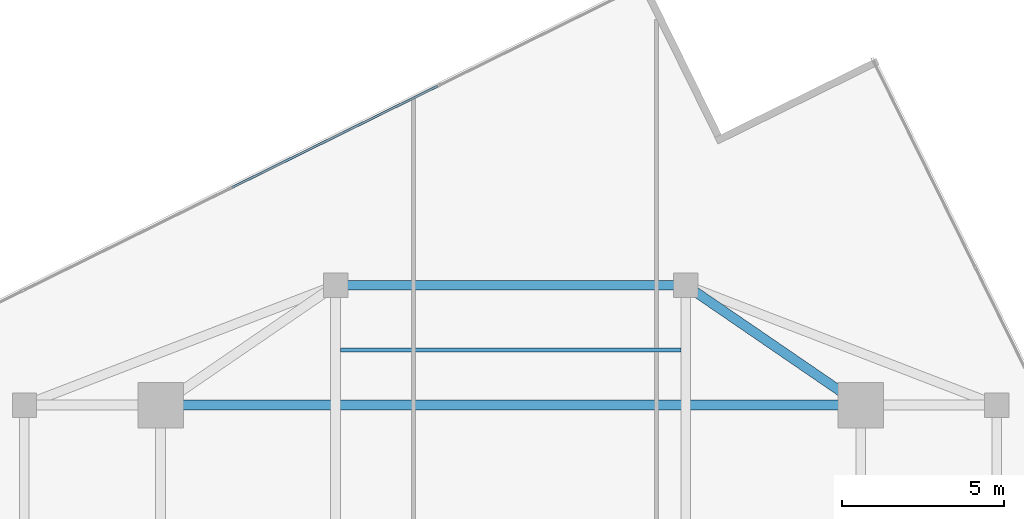
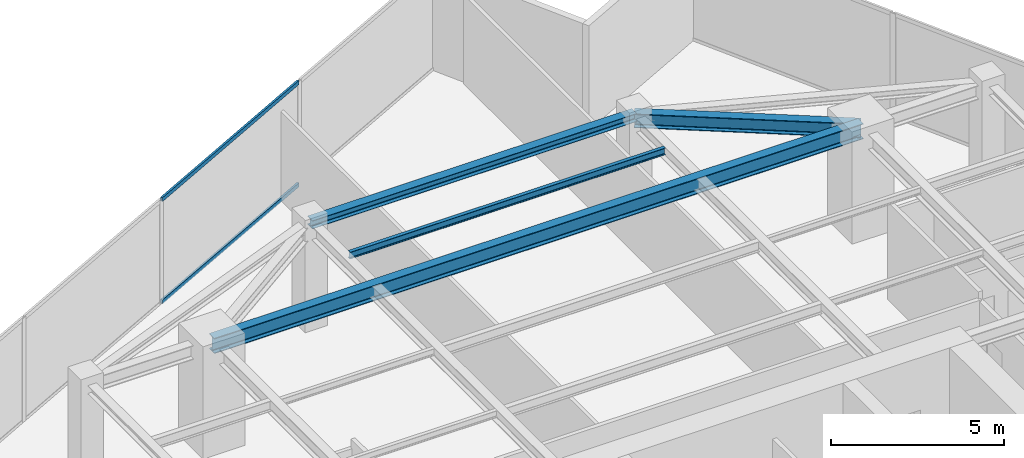
# One storey, part 14 of 22: 4 beams, 2 members, 1 element without a shape of its own.
"""IFC4 building model written with IfcOpenShell, lengths in metres."""

from ifc_helpers import new_model, si_unit, direction, frame, origin, origin_2d, place, context, subcontext, project, spatial, hollow_rectangle, i_section, extrude, source, transform, mapped, material, material_profile, profile_set, type_object, type_shapes, element, aggregate, save


model = new_model("IFC4")

# Units and contexts
model_context = context("Model", 3, precision=1e-05, world=origin(), true_north=direction((0.0, 1.0)))
body_context = subcontext(model_context, "Body", "Model", "MODEL_VIEW")
ifc_project = project(units=[si_unit("LENGTHUNIT", "METRE"), si_unit("AREAUNIT", "SQUARE_METRE"), si_unit("VOLUMEUNIT", "CUBIC_METRE"), si_unit("PLANEANGLEUNIT", "RADIAN"), si_unit("MASSUNIT", "GRAM", prefix="KILO")], contexts=[model_context])

# Site, building, storey
site_placement = place(None, origin())
site = spatial("IfcSite", under=ifc_project, at=site_placement, CompositionType="ELEMENT")
building_placement = place(site_placement, origin())
building = spatial("IfcBuilding", under=site, at=building_placement, Name="Krantzveldt Concourse Tower", CompositionType="ELEMENT")
storey_placement = place(building_placement, frame((0.0, 0.0, 310.85009765625)))
storey = spatial("IfcBuildingStorey", under=building, at=storey_placement, Name="L76", CompositionType="ELEMENT", Elevation=310.85009765625)

# Beams
ifc_material_1 = material(Name="Steel S355JR", Category="steel")
ifc_material_profile_1 = material_profile(ifc_material_1, i_section(OverallWidth=0.300048828125, OverallDepth=0.489990234375, WebThickness=0.011962890625, FlangeThickness=0.02294921875, FilletRadius=0.027099609375, at=origin_2d()), Name="Steel S355JR", Category="steel")
ifc_profile_set_1 = profile_set([ifc_material_profile_1], Name="Steel S355JR - HEA 500")
beam_type_1 = type_object("IfcBeamType", Name="BM-B-HEA500", PredefinedType="BEAM", material=ifc_profile_set_1)
shared_shape_1 = source(origin(), body_context, "Body", "SweptSolid", [
    extrude(i_section(OverallWidth=0.300048828125, OverallDepth=0.489990234375, WebThickness=0.011962890625, FlangeThickness=0.02294921875, FilletRadius=0.027099609375, at=origin_2d()), origin(), (0.0, 0.0, 1.0), 6.546142578125),
])
type_shapes(beam_type_1, [shared_shape_1])
beam_1_placement = place(storey_placement, frame((46.800048828125, 37.5, 3.4248046875), z_axis=(-0.824942999484, 0.565215930068, 0.0), x_axis=(-0.565215930068, -0.824942999484, 0.0)))
element("IfcBeam", 1, at=beam_1_placement, inside=storey, type_object=beam_type_1, Name="L76 Tower Girder BR-RR4", PredefinedType="BEAM", context=body_context, shape_type="MappedRepresentation", body=[
    mapped(shared_shape_1, transform((0.0, 0.0, 0.0), x_axis=(1.0, 0.0, 0.0), y_axis=(0.0, 1.0, 0.0), z_axis=(0.0, 0.0, 1.0), scale=1.0)),
])
ifc_material_profile_2 = material_profile(ifc_material_1, i_section(OverallWidth=0.300048828125, OverallDepth=0.5400390625, WebThickness=0.012451171875, FlangeThickness=0.02392578125, FilletRadius=0.027099609375, at=origin_2d()), Name="Steel S355JR", Category="steel")
ifc_profile_set_2 = profile_set([ifc_material_profile_2], Name="Steel S355JR - HEA 550")
beam_type_2 = type_object("IfcBeamType", Name="BM-B-HEA550", PredefinedType="BEAM", material=ifc_profile_set_2)
shared_shape_2 = source(origin(), body_context, "Body", "SweptSolid", [
    extrude(i_section(OverallWidth=0.300048828125, OverallDepth=0.5400390625, WebThickness=0.012451171875, FlangeThickness=0.02392578125, FilletRadius=0.027099609375, at=origin_2d()), origin(), (0.0, 0.0, 1.0), 21.60009765625),
])
type_shapes(beam_type_2, [shared_shape_2])
beam_2_placement = place(storey_placement, frame((25.199951171875, 37.5, 3.39990234375), z_axis=(1.0, 0.0, 0.0), x_axis=(0.0, 1.0, 0.0)))
element("IfcBeam", 2, at=beam_2_placement, inside=storey, type_object=beam_type_2, Name="L76 Tower Girder BG-MN", PredefinedType="BEAM", context=body_context, shape_type="MappedRepresentation", body=[
    mapped(shared_shape_2, transform((0.0, 0.0, 0.0), x_axis=(1.0, 0.0, 0.0), y_axis=(0.0, 1.0, 0.0), z_axis=(0.0, 0.0, 1.0), scale=1.0)),
])
ifc_material_profile_3 = material_profile(ifc_material_1, i_section(OverallWidth=0.2900390625, OverallDepth=0.2900390625, WebThickness=0.008544921875, FlangeThickness=0.013916015625, FilletRadius=0.027099609375, at=origin_2d()), Name="Steel S355JR", Category="steel")
ifc_profile_set_3 = profile_set([ifc_material_profile_3], Name="Steel S355JR - HEA 300")
beam_type_3 = type_object("IfcBeamType", Name="BM-SP-HEA300", PredefinedType="SPANDREL", material=ifc_profile_set_3)
shared_shape_3 = source(origin(), body_context, "Body", "SweptSolid", [
    extrude(i_section(OverallWidth=0.2900390625, OverallDepth=0.2900390625, WebThickness=0.008544921875, FlangeThickness=0.013916015625, FilletRadius=0.027099609375, at=origin_2d()), origin(), (0.0, 0.0, 1.0), 10.7998046875),
])
type_shapes(beam_type_3, [shared_shape_3])
beam_3_placement = place(storey_placement, frame((30.60009765625, 41.199951171875, 3.52490234375), z_axis=(1.0, 0.0, 0.0), x_axis=(0.0, 1.0, 0.0)))
element("IfcBeam", 3, at=beam_3_placement, inside=storey, type_object=beam_type_3, Name="L76 Tower Girder SP-R04", PredefinedType="SPANDREL", context=body_context, shape_type="MappedRepresentation", body=[
    mapped(shared_shape_3, transform((0.0, 0.0, 0.0), x_axis=(1.0, 0.0, 0.0), y_axis=(0.0, 1.0, 0.0), z_axis=(0.0, 0.0, 1.0), scale=1.0)),
])
ifc_material_profile_4 = material_profile(ifc_material_1, i_section(OverallWidth=0.1201171875, OverallDepth=0.239990234375, WebThickness=0.006103515625, FlangeThickness=0.009765625, FilletRadius=0.014892578125, at=origin_2d()), Name="Steel S355JR", Category="steel")
ifc_profile_set_4 = profile_set([ifc_material_profile_4], Name="Steel S355JR - IPE 240")
beam_type_4 = type_object("IfcBeamType", Name="BM-LN-IPE240", PredefinedType="LINTEL", material=ifc_profile_set_4)
shared_shape_4 = source(origin(), body_context, "Body", "SweptSolid", [
    extrude(i_section(OverallWidth=0.1201171875, OverallDepth=0.239990234375, WebThickness=0.006103515625, FlangeThickness=0.009765625, FilletRadius=0.014892578125, at=origin_2d()), origin(), (0.0, 0.0, 1.0), 10.5),
])
type_shapes(beam_type_4, [shared_shape_4])
beam_4_placement = place(storey_placement, frame((30.75, 39.199951171875, 3.5498046875), z_axis=(1.0, 0.0, 0.0), x_axis=(0.0, 1.0, 0.0)))
element("IfcBeam", 4, at=beam_4_placement, inside=storey, type_object=beam_type_4, Name="L76 Secondary Floor Joist JN-C3", PredefinedType="LINTEL", context=body_context, shape_type="MappedRepresentation", body=[
    mapped(shared_shape_4, transform((0.0, 0.0, 0.0), x_axis=(1.0, 0.0, 0.0), y_axis=(0.0, 1.0, 0.0), z_axis=(0.0, 0.0, 1.0), scale=1.0)),
])

# Curtain wall, members
ifc_material_2 = material(Name="Anodised aluminium 6063-T6", Category="aluminium")
curtain_wall_type = type_object("IfcCurtainWallType", Name="CW4", PredefinedType="USERDEFINED", material=ifc_material_2)
curtain_wall_placement = place(storey_placement, origin())
curtain_wall = element("IfcCurtainWall", 5, at=curtain_wall_placement, inside=storey, type_object=curtain_wall_type, Name="CW-L76-F01", ObjectType="UNITISED CURTAIN WALL", PredefinedType="USERDEFINED")
ifc_material_profile_5 = material_profile(ifc_material_2, hollow_rectangle(XDim=0.070068359375, YDim=0.139892578125, WallThickness=0.0048828125, at=origin_2d()), Name="Anodised aluminium 6063-T6", Category="aluminium")
ifc_profile_set_5 = profile_set([ifc_material_profile_5], Name="Anodised aluminium 6063-T6 - ALU-TRAN 140x70x5")
member_type = type_object("IfcMemberType", Name="CW-TRN-150", PredefinedType="USERDEFINED", material=ifc_profile_set_5)
shared_shape_5 = source(origin(), body_context, "Body", "SweptSolid", [
    extrude(hollow_rectangle(XDim=0.070068359375, YDim=0.139892578125, WallThickness=0.0048828125, at=origin_2d()), origin(), (0.0, 0.0, 1.0), 7.080078125),
])
type_shapes(member_type, [shared_shape_5])
member_1_placement = place(storey_placement, frame((33.752197265625, 47.344970703125, 0.034912109375), z_axis=(-0.896862063633, -0.442310342198, 0.0), x_axis=(0.442310342198, -0.896862063633, 0.0)))
member_1 = element("IfcMember", 6, at=member_1_placement, type_object=member_type, Name="CW-Z56 transom 2.1", ObjectType="TRANSOM", PredefinedType="USERDEFINED", context=body_context, shape_type="MappedRepresentation", body=[
    mapped(shared_shape_5, transform((0.0, 0.0, 0.0), x_axis=(1.0, 0.0, 0.0), y_axis=(0.0, 1.0, 0.0), z_axis=(0.0, 0.0, 1.0), scale=1.0)),
])
member_2_placement = place(storey_placement, frame((33.752197265625, 47.344970703125, 3.635009765625), z_axis=(-0.896862063633, -0.442310342198, 0.0), x_axis=(0.442310342198, -0.896862063633, 0.0)))
member_2 = element("IfcMember", 7, at=member_2_placement, type_object=member_type, Name="CW-Z56 transom 2.2", ObjectType="TRANSOM", PredefinedType="USERDEFINED", context=body_context, shape_type="MappedRepresentation", body=[
    mapped(shared_shape_5, transform((0.0, 0.0, 0.0), x_axis=(1.0, 0.0, 0.0), y_axis=(0.0, 1.0, 0.0), z_axis=(0.0, 0.0, 1.0), scale=1.0)),
])
aggregate(curtain_wall, [member_1, member_2])

save(model, "model.ifc")
